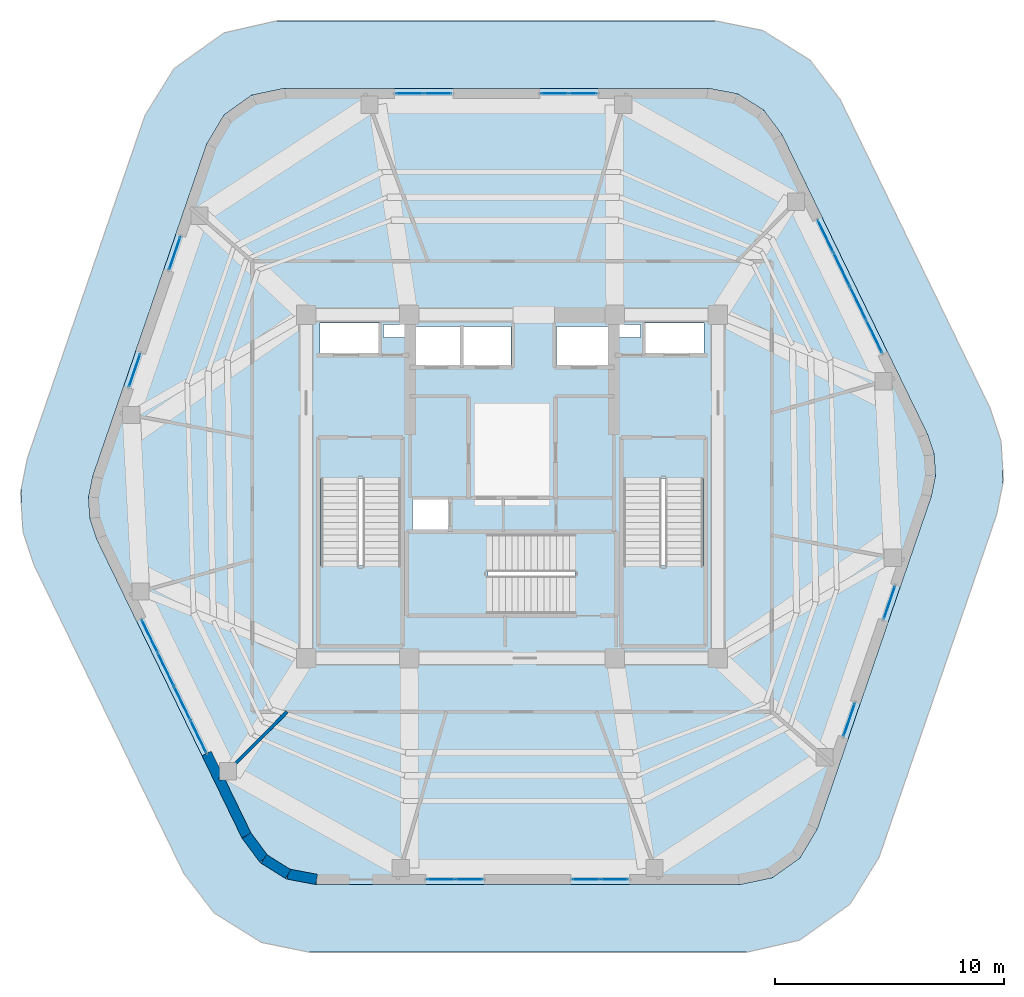
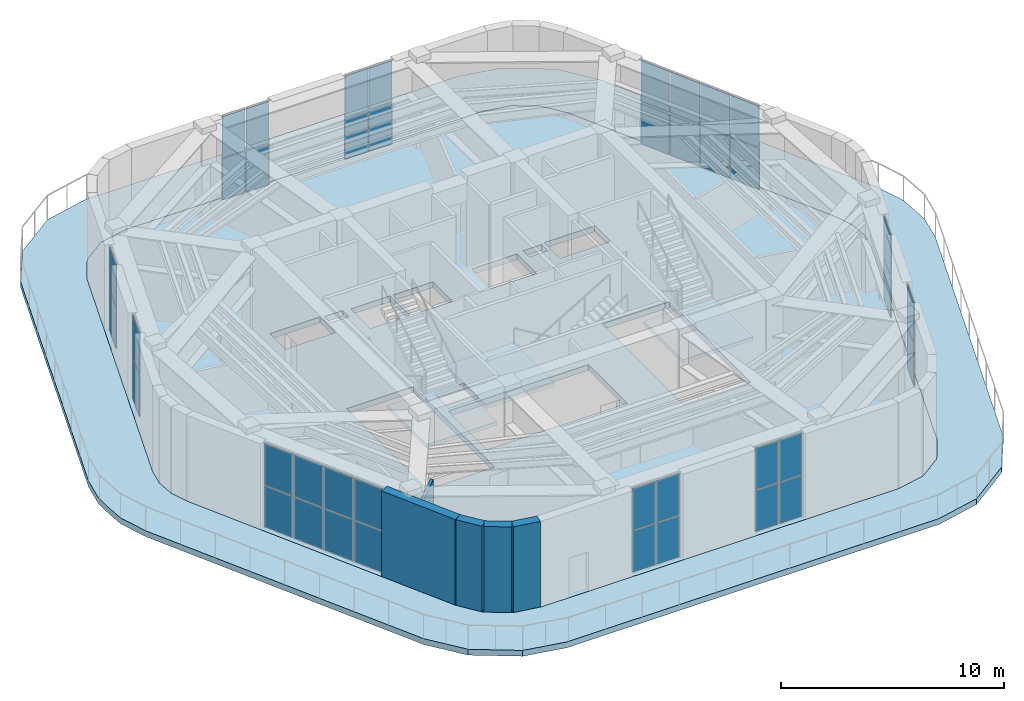
# One storey, part 16 of 24: 40 plates, 5 slabs, 5 walls, 13 elements without a shape of their own.
"""IFC4 building model written with IfcOpenShell, lengths in metres."""

import ifcopenshell
import ifcopenshell.guid

model = None  # the IFC model being written
_history = None  # IfcOwnerHistory: only IFC2X3 demands one
_inside = {}  # id of a spatial element -> (the spatial element, [elements in it])
_under = {}  # id of a project, library or spatial element -> (it, [spatial elements below it])
_declared = {}  # id of a project -> (the project, [libraries it declares])
_typed = {}  # id of a type object -> (the type object, [elements of that type])
_made_of = {}  # id of a material, layer set ... -> (it, [elements and type objects made of it])


def new_model(schema):
    """Start an empty IFC model of exactly this schema.

    Asked for "IFC4X3", IfcOpenShell would pick the latest addendum, in which some entities
    have other attributes; the version numbers below select the first issue.
    IFC2X3 requires an IfcOwnerHistory on every rooted entity: one is made here for all.
    """
    global model, _history
    if schema == "IFC4X3":
        model = ifcopenshell.file(schema_version=(4, 3, 0, 0))
    else:
        model = ifcopenshell.file(schema=schema)
    _inside.clear()
    _under.clear()
    _declared.clear()
    _typed.clear()
    _made_of.clear()
    _history = None
    if model.schema == "IFC2X3":
        org = make("IfcOrganization", Name="unknown")
        user = make(
            "IfcPersonAndOrganization",
            ThePerson=make("IfcPerson", FamilyName="unknown"),
            TheOrganization=org,
        )
        app = make(
            "IfcApplication",
            ApplicationDeveloper=org,
            Version="unknown",
            ApplicationFullName="unknown",
            ApplicationIdentifier="unknown",
        )
        _history = make(
            "IfcOwnerHistory",
            OwningUser=user,
            OwningApplication=app,
            ChangeAction="ADDED",
            CreationDate=0,
        )
    return model


def make(cls, **values):
    """One entity of the class cls with the attributes given. An attribute that is None is left unset."""
    return model.create_entity(
        cls, **{name: value for name, value in values.items() if value is not None}
    )


def rooted(cls, **values):
    """An entity with a GlobalId (a new one), such as an element, a storey or a relation."""
    return make(cls, GlobalId=ifcopenshell.guid.new(), OwnerHistory=_history, **values)


def si_unit(unit_type, name, prefix=None):
    """IfcSIUnit, for example si_unit("LENGTHUNIT", "METRE", prefix="MILLI")."""
    return make("IfcSIUnit", UnitType=unit_type, Prefix=prefix, Name=name)


def assignment(units):
    """IfcUnitAssignment: the units of a project."""
    return None if units is None else make("IfcUnitAssignment", Units=units)


def point(xyz):
    """IfcCartesianPoint."""
    return None if xyz is None else make("IfcCartesianPoint", Coordinates=xyz)


def direction(xyz):
    """IfcDirection."""
    return None if xyz is None else make("IfcDirection", DirectionRatios=xyz)


def frame(location, z_axis=None, x_axis=None):
    """IfcAxis2Placement3D, a coordinate frame: its origin and axes. An axis left out is left unset."""
    return make(
        "IfcAxis2Placement3D",
        Location=point(location),
        Axis=direction(z_axis),
        RefDirection=direction(x_axis),
    )


def frame_2d(location, x_axis=None):
    """IfcAxis2Placement2D, a coordinate frame in the plane: its origin and x axis."""
    return make(
        "IfcAxis2Placement2D", Location=point(location), RefDirection=direction(x_axis)
    )


def origin():
    """The frame at (0, 0, 0) with its axes left unset."""
    return frame((0.0, 0.0, 0.0))


def origin_2d():
    """The frame at (0, 0) in the plane with its x axis left unset."""
    return frame_2d((0.0, 0.0))


def place(relative_to, where):
    """IfcLocalPlacement: puts the frame where relative to a parent placement (None: the world)."""
    return make(
        "IfcLocalPlacement", PlacementRelTo=relative_to, RelativePlacement=where
    )


def context(
    kind, dimensions, precision=None, world=None, true_north=None, identifier=None
):
    """IfcGeometricRepresentationContext, for example the 3D "Model" context."""
    return make(
        "IfcGeometricRepresentationContext",
        ContextIdentifier=identifier,
        ContextType=kind,
        CoordinateSpaceDimension=dimensions,
        Precision=precision,
        WorldCoordinateSystem=world,
        TrueNorth=true_north,
    )


def subcontext(parent, identifier, kind, view, scale=None):
    """IfcGeometricRepresentationSubContext, for example "Body" below "Model"."""
    return make(
        "IfcGeometricRepresentationSubContext",
        ContextIdentifier=identifier,
        ContextType=kind,
        ParentContext=parent,
        TargetScale=scale,
        TargetView=view,
    )


def project(units=None, contexts=None):
    """IfcProject with its units and contexts."""
    return rooted(
        "IfcProject",
        Name="project",
        RepresentationContexts=contexts,
        UnitsInContext=assignment(units),
    )


def spatial(cls, under=None, at=None, **own):
    """A site, building, storey or space (cls), placed at a placement, below another one or the project."""
    s = rooted(cls, ObjectPlacement=at, **own)
    if under is not None:
        _under.setdefault(under.id(), (under, []))[1].append(s)
    return s


def polyline(points):
    """IfcPolyline through the points."""
    return make("IfcPolyline", Points=[point(p) for p in points])


def profile(cls, at=None, kind="AREA", **sizes):
    """A parametric profile (cls). Its sizes go by their IFC names, for example OverallWidth=200.0."""
    return make(cls, ProfileType=kind, Position=at, **sizes)


def rectangle(**sizes):
    """IfcRectangleProfileDef."""
    return profile("IfcRectangleProfileDef", **sizes)


def outline(outer, holes=None, kind="AREA"):
    """IfcArbitraryClosedProfileDef: a profile drawn as a closed curve; with holes, ...WithVoids."""
    if holes is None:
        return make("IfcArbitraryClosedProfileDef", ProfileType=kind, OuterCurve=outer)
    return make(
        "IfcArbitraryProfileDefWithVoids",
        ProfileType=kind,
        OuterCurve=outer,
        InnerCurves=holes,
    )


def extrude(swept, where, along, depth):
    """IfcExtrudedAreaSolid: the profile swept, set in the frame where, extruded along a direction by depth."""
    return make(
        "IfcExtrudedAreaSolid",
        SweptArea=swept,
        Position=where,
        ExtrudedDirection=direction(along),
        Depth=depth,
    )


def shape(context_of_items, identifier, shape_type, items):
    """IfcShapeRepresentation: the items that make up one representation, for example the "Body"."""
    return make(
        "IfcShapeRepresentation",
        ContextOfItems=context_of_items,
        RepresentationIdentifier=identifier,
        RepresentationType=shape_type,
        Items=items,
    )


def material(Name=None, Category=None):
    """IfcMaterial."""
    return make("IfcMaterial", Name=Name, Category=Category)


def layer(
    of_material, thickness, ventilated=None, Name=None, Category=None, Priority=None
):
    """IfcMaterialLayer: one layer of a wall or slab, of a material (None: an air gap)."""
    return make(
        "IfcMaterialLayer",
        Material=of_material,
        LayerThickness=thickness,
        IsVentilated=ventilated,
        Name=Name,
        Category=Category,
        Priority=Priority,
    )


def layer_set(layers, Name=None):
    """IfcMaterialLayerSet."""
    return make("IfcMaterialLayerSet", MaterialLayers=layers, LayerSetName=Name)


def made_of(thing, what):
    """Note that an element or type object is made of a material, layer set ...; save() writes the relation."""
    if what is not None:
        _made_of.setdefault(what.id(), (what, []))[1].append(thing)
    return thing


def type_object(cls, material=None, **own):
    """A type object (cls), such as IfcWallType, which elements share."""
    return made_of(rooted(cls, **own), material)


def element(
    cls,
    number,
    at=None,
    inside=None,
    cuts=None,
    type_object=None,
    material=None,
    context=None,
    identifier="Body",
    shape_type=None,
    held_by="IfcProductDefinitionShape",
    body=None,
    shapes=None,
    **own,
):
    """One element of the class cls, such as IfcWall. Its Tag is "e" and its number.

    at: its placement. inside: the storey or other place that contains it. cuts: it is an
    opening in that element (IfcRelVoidsElement). A single representation is given by context,
    identifier, shape_type and body (its items); several are given by shapes. held_by: the class
    of the entity that holds the representations. save() writes the other relations.
    """
    e = rooted(cls, Tag="e%d" % number, ObjectPlacement=at, **own)
    if body is not None:
        shapes = [shape(context, identifier, shape_type, body)]
    if shapes is not None:
        e.Representation = make(held_by, Representations=shapes)
    if inside is not None:
        _inside.setdefault(inside.id(), (inside, []))[1].append(e)
    if cuts is not None:
        rooted(
            "IfcRelVoidsElement", RelatingBuildingElement=cuts, RelatedOpeningElement=e
        )
    if type_object is not None:
        _typed.setdefault(type_object.id(), (type_object, []))[1].append(e)
    return made_of(e, material)


def aggregate(whole, parts):
    """IfcRelAggregates: a whole, such as a stair, and the parts it consists of."""
    return rooted("IfcRelAggregates", RelatingObject=whole, RelatedObjects=parts)


def save(model, path):
    """Write the relations noted so far, then the file.

    IfcRelAggregates (storeys below a building ...), IfcRelContainedInSpatialStructure (elements
    in a storey), IfcRelDefinesByType, IfcRelAssociatesMaterial and IfcRelDeclares: one each for
    every whole, place, type object, material and project.
    """
    for whole, parts in _under.values():
        aggregate(whole, parts)
    for where, things in _inside.values():
        rooted(
            "IfcRelContainedInSpatialStructure",
            RelatedElements=things,
            RelatingStructure=where,
        )
    for kind, things in _typed.values():
        rooted("IfcRelDefinesByType", RelatedObjects=things, RelatingType=kind)
    for what, things in _made_of.values():
        rooted("IfcRelAssociatesMaterial", RelatedObjects=things, RelatingMaterial=what)
    for by, libraries in _declared.values():
        rooted("IfcRelDeclares", RelatingContext=by, RelatedDefinitions=libraries)
    model.write(path)


model = new_model("IFC4")

# Units and contexts
model_context = context("Model", 3, precision=1e-05, world=origin(), true_north=direction((0.0, 1.0)))
body_context = subcontext(model_context, "Body", "Model", "MODEL_VIEW")
ifc_project = project(units=[si_unit("LENGTHUNIT", "METRE"), si_unit("AREAUNIT", "SQUARE_METRE"), si_unit("VOLUMEUNIT", "CUBIC_METRE"), si_unit("PLANEANGLEUNIT", "RADIAN"), si_unit("MASSUNIT", "GRAM", prefix="KILO")], contexts=[model_context])

# Site, building, storey
site_placement = place(None, origin())
site = spatial("IfcSite", under=ifc_project, at=site_placement, CompositionType="ELEMENT")
building_placement = place(site_placement, origin())
building = spatial("IfcBuilding", under=site, at=building_placement, Name="Kilnhurst Terrace Hotel", CompositionType="ELEMENT")
storey_placement = place(building_placement, frame((0.0, 0.0, 305.39990234375)))
storey = spatial("IfcBuildingStorey", under=building, at=storey_placement, Name="L76", CompositionType="ELEMENT", Elevation=305.39990234375)

# Curtain wall, plates
ifc_material_1 = material(Name="Anodized Aluminium Alloy 6063-T6 and Low-E Glass", Category="aluminium")
ifc_layer_1 = layer(ifc_material_1, 0.219970703125, Name="Anodized Aluminium Alloy 6063-T6 and Low-E Glass")
ifc_layer_set_1 = layer_set([ifc_layer_1], Name="Anodized Aluminium Alloy 6063-T6 and Low-E Glass")
curtain_wall_type = type_object("IfcCurtainWallType", Name="CW-OBS-CROWN", PredefinedType="NOTDEFINED", material=ifc_layer_set_1)
curtain_wall_1_placement = place(storey_placement, origin())
curtain_wall_1 = element("IfcCurtainWall", 1, at=curtain_wall_1_placement, inside=storey, type_object=curtain_wall_type, Name="L76 Curtain Wall CW-L76-F1-1", PredefinedType="NOTDEFINED")
ifc_material_2 = material(Name="Triple Laminated Low-E Hurricane Insulated Glass", Category="glass")
ifc_layer_2 = layer(ifc_material_2, 0.033935546875, Name="Triple Laminated Low-E Hurricane Insulated Glass")
ifc_layer_set_2 = layer_set([ifc_layer_2], Name="Triple Laminated Low-E Hurricane Insulated Glass")
plate_type = type_object("IfcPlateType", Name="PNL-GLZ-34", PredefinedType="CURTAIN_PANEL", material=ifc_layer_set_2)
plate_1_placement = place(storey_placement, frame((-3.10595703125, -17.175048828125, 0.06494140625), z_axis=(0.0, 0.0, 1.0), x_axis=(1.0, 0.0, 0.0)))
plate_1 = element("IfcPlate", 2, at=plate_1_placement, type_object=plate_type, Name="CWO-6 panel 1.1", PredefinedType="CURTAIN_PANEL", context=body_context, shape_type="SweptSolid", body=[
    extrude(rectangle(XDim=1.175537109375, YDim=0.033935546875, at=origin_2d()), origin(), (0.0, 0.0, 1.0), 2.242431640625),
])
plate_2_placement = place(storey_placement, frame((-3.10595703125, -17.175048828125, 2.37255859375), z_axis=(0.0, 0.0, 1.0), x_axis=(1.0, 0.0, 0.0)))
plate_2 = element("IfcPlate", 3, at=plate_2_placement, type_object=plate_type, Name="CWO-6 panel 1.2", PredefinedType="CURTAIN_PANEL", context=body_context, shape_type="SweptSolid", body=[
    extrude(rectangle(XDim=1.175537109375, YDim=0.033935546875, at=origin_2d()), origin(), (0.0, 0.0, 1.0), 2.242431640625),
])
plate_3_placement = place(storey_placement, frame((-1.865478515625, -17.175048828125, 0.06494140625), z_axis=(0.0, 0.0, 1.0), x_axis=(1.0, 0.0, 0.0)))
plate_3 = element("IfcPlate", 4, at=plate_3_placement, type_object=plate_type, Name="CWO-6 panel 2.1", PredefinedType="CURTAIN_PANEL", context=body_context, shape_type="SweptSolid", body=[
    extrude(rectangle(XDim=1.175537109375, YDim=0.033935546875, at=origin_2d()), origin(), (0.0, 0.0, 1.0), 2.242431640625),
])
plate_4_placement = place(storey_placement, frame((-1.865478515625, -17.175048828125, 2.37255859375), z_axis=(0.0, 0.0, 1.0), x_axis=(1.0, 0.0, 0.0)))
plate_4 = element("IfcPlate", 5, at=plate_4_placement, type_object=plate_type, Name="CWO-6 panel 2.2", PredefinedType="CURTAIN_PANEL", context=body_context, shape_type="SweptSolid", body=[
    extrude(rectangle(XDim=1.175537109375, YDim=0.033935546875, at=origin_2d()), origin(), (0.0, 0.0, 1.0), 2.242431640625),
])
aggregate(curtain_wall_1, [plate_1, plate_2, plate_3, plate_4])

curtain_wall_2_placement = place(storey_placement, origin())
curtain_wall_2 = element("IfcCurtainWall", 6, at=curtain_wall_2_placement, inside=storey, type_object=curtain_wall_type, Name="L76 Curtain Wall CW-L76-F1-2", PredefinedType="NOTDEFINED")
plate_5_placement = place(storey_placement, frame((3.240234375, -17.175048828125, 0.06494140625), z_axis=(0.0, 0.0, 1.0), x_axis=(1.0, 0.0, 0.0)))
plate_5 = element("IfcPlate", 7, at=plate_5_placement, type_object=plate_type, Name="CWO-6 panel 1.1", PredefinedType="CURTAIN_PANEL", context=body_context, shape_type="SweptSolid", body=[
    extrude(rectangle(XDim=1.176025390625, YDim=0.033935546875, at=origin_2d()), origin(), (0.0, 0.0, 1.0), 2.242431640625),
])
plate_6_placement = place(storey_placement, frame((3.240234375, -17.175048828125, 2.37255859375), z_axis=(0.0, 0.0, 1.0), x_axis=(1.0, 0.0, 0.0)))
plate_6 = element("IfcPlate", 8, at=plate_6_placement, type_object=plate_type, Name="CWO-6 panel 1.2", PredefinedType="CURTAIN_PANEL", context=body_context, shape_type="SweptSolid", body=[
    extrude(rectangle(XDim=1.176025390625, YDim=0.033935546875, at=origin_2d()), origin(), (0.0, 0.0, 1.0), 2.242431640625),
])
plate_7_placement = place(storey_placement, frame((4.481201171875, -17.175048828125, 0.06494140625), z_axis=(0.0, 0.0, 1.0), x_axis=(1.0, 0.0, 0.0)))
plate_7 = element("IfcPlate", 9, at=plate_7_placement, type_object=plate_type, Name="CWO-6 panel 2.1", PredefinedType="CURTAIN_PANEL", context=body_context, shape_type="SweptSolid", body=[
    extrude(rectangle(XDim=1.176025390625, YDim=0.033935546875, at=origin_2d()), origin(), (0.0, 0.0, 1.0), 2.242431640625),
])
plate_8_placement = place(storey_placement, frame((4.481201171875, -17.175048828125, 2.37255859375), z_axis=(0.0, 0.0, 1.0), x_axis=(1.0, 0.0, 0.0)))
plate_8 = element("IfcPlate", 10, at=plate_8_placement, type_object=plate_type, Name="CWO-6 panel 2.2", PredefinedType="CURTAIN_PANEL", context=body_context, shape_type="SweptSolid", body=[
    extrude(rectangle(XDim=1.176025390625, YDim=0.033935546875, at=origin_2d()), origin(), (0.0, 0.0, 1.0), 2.242431640625),
])
aggregate(curtain_wall_2, [plate_5, plate_6, plate_7, plate_8])

curtain_wall_3_placement = place(storey_placement, origin())
curtain_wall_3 = element("IfcCurtainWall", 11, at=curtain_wall_3_placement, inside=storey, type_object=curtain_wall_type, Name="L76 Curtain Wall CW-L76-F2-1", PredefinedType="NOTDEFINED")
plate_9_placement = place(storey_placement, frame((14.7373046875, -10.191650390625, 0.06494140625), z_axis=(0.0, 0.0, 1.0), x_axis=(0.324496358075, 0.945886945462, 0.0)))
plate_9 = element("IfcPlate", 12, at=plate_9_placement, type_object=plate_type, Name="CWO-6 panel 1.1", PredefinedType="CURTAIN_PANEL", context=body_context, shape_type="SweptSolid", body=[
    extrude(rectangle(XDim=1.474853515625, YDim=0.033935546875, at=origin_2d()), origin(), (0.0, 0.0, 1.0), 2.242431640625),
])
plate_10_placement = place(storey_placement, frame((14.7373046875, -10.191650390625, 2.37255859375), z_axis=(0.0, 0.0, 1.0), x_axis=(0.324496358075, 0.945886945462, 0.0)))
plate_10 = element("IfcPlate", 13, at=plate_10_placement, type_object=plate_type, Name="CWO-6 panel 1.2", PredefinedType="CURTAIN_PANEL", context=body_context, shape_type="SweptSolid", body=[
    extrude(rectangle(XDim=1.474853515625, YDim=0.033935546875, at=origin_2d()), origin(), (0.0, 0.0, 1.0), 2.242431640625),
])
aggregate(curtain_wall_3, [plate_9, plate_10])

curtain_wall_4_placement = place(storey_placement, origin())
curtain_wall_4 = element("IfcCurtainWall", 14, at=curtain_wall_4_placement, inside=storey, type_object=curtain_wall_type, Name="L76 Curtain Wall CW-L76-F2-2", PredefinedType="NOTDEFINED")
plate_11_placement = place(storey_placement, frame((16.4912109375, -5.0791015625, 0.06494140625), z_axis=(0.0, 0.0, 1.0), x_axis=(0.324496358075, 0.945886945462, 0.0)))
plate_11 = element("IfcPlate", 15, at=plate_11_placement, type_object=plate_type, Name="CWO-6 panel 1.1", PredefinedType="CURTAIN_PANEL", context=body_context, shape_type="SweptSolid", body=[
    extrude(rectangle(XDim=1.474853515625, YDim=0.033935546875, at=origin_2d()), origin(), (0.0, 0.0, 1.0), 2.242431640625),
])
plate_12_placement = place(storey_placement, frame((16.4912109375, -5.0791015625, 2.37255859375), z_axis=(0.0, 0.0, 1.0), x_axis=(0.324496358075, 0.945886945462, 0.0)))
plate_12 = element("IfcPlate", 16, at=plate_12_placement, type_object=plate_type, Name="CWO-6 panel 1.2", PredefinedType="CURTAIN_PANEL", context=body_context, shape_type="SweptSolid", body=[
    extrude(rectangle(XDim=1.474853515625, YDim=0.033935546875, at=origin_2d()), origin(), (0.0, 0.0, 1.0), 2.242431640625),
])
aggregate(curtain_wall_4, [plate_11, plate_12])

curtain_wall_5_placement = place(storey_placement, origin())
curtain_wall_5 = element("IfcCurtainWall", 17, at=curtain_wall_5_placement, inside=storey, type_object=curtain_wall_type, Name="L76 Curtain Wall CW-L76-F3-1", PredefinedType="NOTDEFINED")
plate_13_placement = place(storey_placement, frame((15.832763671875, 6.548828125, 0.06494140625), z_axis=(0.0, 0.0, 1.0), x_axis=(-0.437053091357, 0.899435709395, 0.0)))
plate_13 = element("IfcPlate", 18, at=plate_13_placement, type_object=plate_type, Name="CWO-6 panel 1.1", PredefinedType="CURTAIN_PANEL", context=body_context, shape_type="SweptSolid", body=[
    extrude(rectangle(XDim=1.533935546875, YDim=0.033935546875, at=origin_2d()), origin(), (0.0, 0.0, 1.0), 2.242431640625),
])
plate_14_placement = place(storey_placement, frame((15.832763671875, 6.548828125, 2.37255859375), z_axis=(0.0, 0.0, 1.0), x_axis=(-0.437053091357, 0.899435709395, 0.0)))
plate_14 = element("IfcPlate", 19, at=plate_14_placement, type_object=plate_type, Name="CWO-6 panel 1.2", PredefinedType="CURTAIN_PANEL", context=body_context, shape_type="SweptSolid", body=[
    extrude(rectangle(XDim=1.533935546875, YDim=0.033935546875, at=origin_2d()), origin(), (0.0, 0.0, 1.0), 2.242431640625),
])
plate_15_placement = place(storey_placement, frame((15.126708984375, 8.001708984375, 0.06494140625), z_axis=(0.0, 0.0, 1.0), x_axis=(-0.437053091357, 0.899435709395, 0.0)))
plate_15 = element("IfcPlate", 20, at=plate_15_placement, type_object=plate_type, Name="CWO-6 panel 2.1", PredefinedType="CURTAIN_PANEL", context=body_context, shape_type="SweptSolid", body=[
    extrude(rectangle(XDim=1.56640625, YDim=0.033935546875, at=origin_2d()), origin(), (0.0, 0.0, 1.0), 2.242431640625),
])
plate_16_placement = place(storey_placement, frame((15.126708984375, 8.001708984375, 2.37255859375), z_axis=(0.0, 0.0, 1.0), x_axis=(-0.437053091357, 0.899435709395, 0.0)))
plate_16 = element("IfcPlate", 21, at=plate_16_placement, type_object=plate_type, Name="CWO-6 panel 2.2", PredefinedType="CURTAIN_PANEL", context=body_context, shape_type="SweptSolid", body=[
    extrude(rectangle(XDim=1.56640625, YDim=0.033935546875, at=origin_2d()), origin(), (0.0, 0.0, 1.0), 2.242431640625),
])
plate_17_placement = place(storey_placement, frame((14.41357421875, 9.468994140625, 0.06494140625), z_axis=(0.0, 0.0, 1.0), x_axis=(-0.437053091357, 0.899435709395, 0.0)))
plate_17 = element("IfcPlate", 22, at=plate_17_placement, type_object=plate_type, Name="CWO-6 panel 3.1", PredefinedType="CURTAIN_PANEL", context=body_context, shape_type="SweptSolid", body=[
    extrude(rectangle(XDim=1.56640625, YDim=0.033935546875, at=origin_2d()), origin(), (0.0, 0.0, 1.0), 2.242431640625),
])
plate_18_placement = place(storey_placement, frame((14.41357421875, 9.468994140625, 2.37255859375), z_axis=(0.0, 0.0, 1.0), x_axis=(-0.437053091357, 0.899435709395, 0.0)))
plate_18 = element("IfcPlate", 23, at=plate_18_placement, type_object=plate_type, Name="CWO-6 panel 3.2", PredefinedType="CURTAIN_PANEL", context=body_context, shape_type="SweptSolid", body=[
    extrude(rectangle(XDim=1.56640625, YDim=0.033935546875, at=origin_2d()), origin(), (0.0, 0.0, 1.0), 2.242431640625),
])
plate_19_placement = place(storey_placement, frame((13.707763671875, 10.921875, 0.06494140625), z_axis=(0.0, 0.0, 1.0), x_axis=(-0.437053091357, 0.899435709395, 0.0)))
plate_19 = element("IfcPlate", 24, at=plate_19_placement, type_object=plate_type, Name="CWO-6 panel 4.1", PredefinedType="CURTAIN_PANEL", context=body_context, shape_type="SweptSolid", body=[
    extrude(rectangle(XDim=1.533935546875, YDim=0.033935546875, at=origin_2d()), origin(), (0.0, 0.0, 1.0), 2.242431640625),
])
plate_20_placement = place(storey_placement, frame((13.707763671875, 10.921875, 2.37255859375), z_axis=(0.0, 0.0, 1.0), x_axis=(-0.437053091357, 0.899435709395, 0.0)))
plate_20 = element("IfcPlate", 25, at=plate_20_placement, type_object=plate_type, Name="CWO-6 panel 4.2", PredefinedType="CURTAIN_PANEL", context=body_context, shape_type="SweptSolid", body=[
    extrude(rectangle(XDim=1.533935546875, YDim=0.033935546875, at=origin_2d()), origin(), (0.0, 0.0, 1.0), 2.242431640625),
])
aggregate(curtain_wall_5, [plate_13, plate_14, plate_15, plate_16, plate_17, plate_18, plate_19, plate_20])

curtain_wall_6_placement = place(storey_placement, origin())
curtain_wall_6 = element("IfcCurtainWall", 26, at=curtain_wall_6_placement, inside=storey, type_object=curtain_wall_type, Name="L76 Curtain Wall CW-L76-F4-1", PredefinedType="NOTDEFINED")
plate_21_placement = place(storey_placement, frame((3.10595703125, 17.175048828125, 0.06494140625), z_axis=(0.0, 0.0, 1.0), x_axis=(-1.0, 0.0, 0.0)))
plate_21 = element("IfcPlate", 27, at=plate_21_placement, type_object=plate_type, Name="CWO-6 panel 1.1", PredefinedType="CURTAIN_PANEL", context=body_context, shape_type="SweptSolid", body=[
    extrude(rectangle(XDim=1.175537109375, YDim=0.033935546875, at=origin_2d()), origin(), (0.0, 0.0, 1.0), 2.242431640625),
])
plate_22_placement = place(storey_placement, frame((3.10595703125, 17.175048828125, 2.37255859375), z_axis=(0.0, 0.0, 1.0), x_axis=(-1.0, 0.0, 0.0)))
plate_22 = element("IfcPlate", 28, at=plate_22_placement, type_object=plate_type, Name="CWO-6 panel 1.2", PredefinedType="CURTAIN_PANEL", context=body_context, shape_type="SweptSolid", body=[
    extrude(rectangle(XDim=1.175537109375, YDim=0.033935546875, at=origin_2d()), origin(), (0.0, 0.0, 1.0), 2.242431640625),
])
plate_23_placement = place(storey_placement, frame((1.865478515625, 17.175048828125, 0.06494140625), z_axis=(0.0, 0.0, 1.0), x_axis=(-1.0, 0.0, 0.0)))
plate_23 = element("IfcPlate", 29, at=plate_23_placement, type_object=plate_type, Name="CWO-6 panel 2.1", PredefinedType="CURTAIN_PANEL", context=body_context, shape_type="SweptSolid", body=[
    extrude(rectangle(XDim=1.175537109375, YDim=0.033935546875, at=origin_2d()), origin(), (0.0, 0.0, 1.0), 2.242431640625),
])
plate_24_placement = place(storey_placement, frame((1.865478515625, 17.175048828125, 2.37255859375), z_axis=(0.0, 0.0, 1.0), x_axis=(-1.0, 0.0, 0.0)))
plate_24 = element("IfcPlate", 30, at=plate_24_placement, type_object=plate_type, Name="CWO-6 panel 2.2", PredefinedType="CURTAIN_PANEL", context=body_context, shape_type="SweptSolid", body=[
    extrude(rectangle(XDim=1.175537109375, YDim=0.033935546875, at=origin_2d()), origin(), (0.0, 0.0, 1.0), 2.242431640625),
])
aggregate(curtain_wall_6, [plate_21, plate_22, plate_23, plate_24])

curtain_wall_7_placement = place(storey_placement, origin())
curtain_wall_7 = element("IfcCurtainWall", 31, at=curtain_wall_7_placement, inside=storey, type_object=curtain_wall_type, Name="L76 Curtain Wall CW-L76-F4-2", PredefinedType="NOTDEFINED")
plate_25_placement = place(storey_placement, frame((-3.240234375, 17.175048828125, 0.06494140625), z_axis=(0.0, 0.0, 1.0), x_axis=(-1.0, 0.0, 0.0)))
plate_25 = element("IfcPlate", 32, at=plate_25_placement, type_object=plate_type, Name="CWO-6 panel 1.1", PredefinedType="CURTAIN_PANEL", context=body_context, shape_type="SweptSolid", body=[
    extrude(rectangle(XDim=1.176025390625, YDim=0.033935546875, at=origin_2d()), origin(), (0.0, 0.0, 1.0), 2.242431640625),
])
plate_26_placement = place(storey_placement, frame((-3.240234375, 17.175048828125, 2.37255859375), z_axis=(0.0, 0.0, 1.0), x_axis=(-1.0, 0.0, 0.0)))
plate_26 = element("IfcPlate", 33, at=plate_26_placement, type_object=plate_type, Name="CWO-6 panel 1.2", PredefinedType="CURTAIN_PANEL", context=body_context, shape_type="SweptSolid", body=[
    extrude(rectangle(XDim=1.176025390625, YDim=0.033935546875, at=origin_2d()), origin(), (0.0, 0.0, 1.0), 2.242431640625),
])
plate_27_placement = place(storey_placement, frame((-4.481201171875, 17.175048828125, 0.06494140625), z_axis=(0.0, 0.0, 1.0), x_axis=(-1.0, 0.0, 0.0)))
plate_27 = element("IfcPlate", 34, at=plate_27_placement, type_object=plate_type, Name="CWO-6 panel 2.1", PredefinedType="CURTAIN_PANEL", context=body_context, shape_type="SweptSolid", body=[
    extrude(rectangle(XDim=1.176025390625, YDim=0.033935546875, at=origin_2d()), origin(), (0.0, 0.0, 1.0), 2.242431640625),
])
plate_28_placement = place(storey_placement, frame((-4.481201171875, 17.175048828125, 2.37255859375), z_axis=(0.0, 0.0, 1.0), x_axis=(-1.0, 0.0, 0.0)))
plate_28 = element("IfcPlate", 35, at=plate_28_placement, type_object=plate_type, Name="CWO-6 panel 2.2", PredefinedType="CURTAIN_PANEL", context=body_context, shape_type="SweptSolid", body=[
    extrude(rectangle(XDim=1.176025390625, YDim=0.033935546875, at=origin_2d()), origin(), (0.0, 0.0, 1.0), 2.242431640625),
])
aggregate(curtain_wall_7, [plate_25, plate_26, plate_27, plate_28])

curtain_wall_8_placement = place(storey_placement, origin())
curtain_wall_8 = element("IfcCurtainWall", 36, at=curtain_wall_8_placement, inside=storey, type_object=curtain_wall_type, Name="L76 Curtain Wall CW-L76-F5-1", PredefinedType="NOTDEFINED")
plate_29_placement = place(storey_placement, frame((-14.7373046875, 10.191650390625, 0.06494140625), z_axis=(0.0, 0.0, 1.0), x_axis=(-0.324496358075, -0.945886945462, 0.0)))
plate_29 = element("IfcPlate", 37, at=plate_29_placement, type_object=plate_type, Name="CWO-6 panel 1.1", PredefinedType="CURTAIN_PANEL", context=body_context, shape_type="SweptSolid", body=[
    extrude(rectangle(XDim=1.474853515625, YDim=0.033935546875, at=origin_2d()), origin(), (0.0, 0.0, 1.0), 2.242431640625),
])
plate_30_placement = place(storey_placement, frame((-14.7373046875, 10.191650390625, 2.37255859375), z_axis=(0.0, 0.0, 1.0), x_axis=(-0.324496358075, -0.945886945462, 0.0)))
plate_30 = element("IfcPlate", 38, at=plate_30_placement, type_object=plate_type, Name="CWO-6 panel 1.2", PredefinedType="CURTAIN_PANEL", context=body_context, shape_type="SweptSolid", body=[
    extrude(rectangle(XDim=1.474853515625, YDim=0.033935546875, at=origin_2d()), origin(), (0.0, 0.0, 1.0), 2.242431640625),
])
aggregate(curtain_wall_8, [plate_29, plate_30])

curtain_wall_9_placement = place(storey_placement, origin())
curtain_wall_9 = element("IfcCurtainWall", 39, at=curtain_wall_9_placement, inside=storey, type_object=curtain_wall_type, Name="L76 Curtain Wall CW-L76-F5-2", PredefinedType="NOTDEFINED")
plate_31_placement = place(storey_placement, frame((-16.4912109375, 5.0791015625, 0.06494140625), z_axis=(0.0, 0.0, 1.0), x_axis=(-0.324496358075, -0.945886945462, 0.0)))
plate_31 = element("IfcPlate", 40, at=plate_31_placement, type_object=plate_type, Name="CWO-6 panel 1.1", PredefinedType="CURTAIN_PANEL", context=body_context, shape_type="SweptSolid", body=[
    extrude(rectangle(XDim=1.474853515625, YDim=0.033935546875, at=origin_2d()), origin(), (0.0, 0.0, 1.0), 2.242431640625),
])
plate_32_placement = place(storey_placement, frame((-16.4912109375, 5.0791015625, 2.37255859375), z_axis=(0.0, 0.0, 1.0), x_axis=(-0.324496358075, -0.945886945462, 0.0)))
plate_32 = element("IfcPlate", 41, at=plate_32_placement, type_object=plate_type, Name="CWO-6 panel 1.2", PredefinedType="CURTAIN_PANEL", context=body_context, shape_type="SweptSolid", body=[
    extrude(rectangle(XDim=1.474853515625, YDim=0.033935546875, at=origin_2d()), origin(), (0.0, 0.0, 1.0), 2.242431640625),
])
aggregate(curtain_wall_9, [plate_31, plate_32])

curtain_wall_10_placement = place(storey_placement, origin())
curtain_wall_10 = element("IfcCurtainWall", 42, at=curtain_wall_10_placement, inside=storey, type_object=curtain_wall_type, Name="L76 Curtain Wall CW-L76-F6-1", PredefinedType="NOTDEFINED")
plate_33_placement = place(storey_placement, frame((-15.832763671875, -6.548828125, 0.06494140625), z_axis=(0.0, 0.0, 1.0), x_axis=(0.437053091357, -0.899435709395, 0.0)))
plate_33 = element("IfcPlate", 43, at=plate_33_placement, type_object=plate_type, Name="CWO-6 panel 1.1", PredefinedType="CURTAIN_PANEL", context=body_context, shape_type="SweptSolid", body=[
    extrude(rectangle(XDim=1.533935546875, YDim=0.033935546875, at=origin_2d()), origin(), (0.0, 0.0, 1.0), 2.242431640625),
])
plate_34_placement = place(storey_placement, frame((-15.832763671875, -6.548828125, 2.37255859375), z_axis=(0.0, 0.0, 1.0), x_axis=(0.437053091357, -0.899435709395, 0.0)))
plate_34 = element("IfcPlate", 44, at=plate_34_placement, type_object=plate_type, Name="CWO-6 panel 1.2", PredefinedType="CURTAIN_PANEL", context=body_context, shape_type="SweptSolid", body=[
    extrude(rectangle(XDim=1.533935546875, YDim=0.033935546875, at=origin_2d()), origin(), (0.0, 0.0, 1.0), 2.242431640625),
])
plate_35_placement = place(storey_placement, frame((-15.126708984375, -8.001708984375, 0.06494140625), z_axis=(0.0, 0.0, 1.0), x_axis=(0.437053091357, -0.899435709395, 0.0)))
plate_35 = element("IfcPlate", 45, at=plate_35_placement, type_object=plate_type, Name="CWO-6 panel 2.1", PredefinedType="CURTAIN_PANEL", context=body_context, shape_type="SweptSolid", body=[
    extrude(rectangle(XDim=1.56640625, YDim=0.033935546875, at=origin_2d()), origin(), (0.0, 0.0, 1.0), 2.242431640625),
])
plate_36_placement = place(storey_placement, frame((-15.126708984375, -8.001708984375, 2.37255859375), z_axis=(0.0, 0.0, 1.0), x_axis=(0.437053091357, -0.899435709395, 0.0)))
plate_36 = element("IfcPlate", 46, at=plate_36_placement, type_object=plate_type, Name="CWO-6 panel 2.2", PredefinedType="CURTAIN_PANEL", context=body_context, shape_type="SweptSolid", body=[
    extrude(rectangle(XDim=1.56640625, YDim=0.033935546875, at=origin_2d()), origin(), (0.0, 0.0, 1.0), 2.242431640625),
])
plate_37_placement = place(storey_placement, frame((-14.41357421875, -9.468994140625, 0.06494140625), z_axis=(0.0, 0.0, 1.0), x_axis=(0.437053091357, -0.899435709395, 0.0)))
plate_37 = element("IfcPlate", 47, at=plate_37_placement, type_object=plate_type, Name="CWO-6 panel 3.1", PredefinedType="CURTAIN_PANEL", context=body_context, shape_type="SweptSolid", body=[
    extrude(rectangle(XDim=1.56640625, YDim=0.033935546875, at=origin_2d()), origin(), (0.0, 0.0, 1.0), 2.242431640625),
])
plate_38_placement = place(storey_placement, frame((-14.41357421875, -9.468994140625, 2.37255859375), z_axis=(0.0, 0.0, 1.0), x_axis=(0.437053091357, -0.899435709395, 0.0)))
plate_38 = element("IfcPlate", 48, at=plate_38_placement, type_object=plate_type, Name="CWO-6 panel 3.2", PredefinedType="CURTAIN_PANEL", context=body_context, shape_type="SweptSolid", body=[
    extrude(rectangle(XDim=1.56640625, YDim=0.033935546875, at=origin_2d()), origin(), (0.0, 0.0, 1.0), 2.242431640625),
])
plate_39_placement = place(storey_placement, frame((-13.707763671875, -10.921875, 0.06494140625), z_axis=(0.0, 0.0, 1.0), x_axis=(0.437053091357, -0.899435709395, 0.0)))
plate_39 = element("IfcPlate", 49, at=plate_39_placement, type_object=plate_type, Name="CWO-6 panel 4.1", PredefinedType="CURTAIN_PANEL", context=body_context, shape_type="SweptSolid", body=[
    extrude(rectangle(XDim=1.533935546875, YDim=0.033935546875, at=origin_2d()), origin(), (0.0, 0.0, 1.0), 2.242431640625),
])
plate_40_placement = place(storey_placement, frame((-13.707763671875, -10.921875, 2.37255859375), z_axis=(0.0, 0.0, 1.0), x_axis=(0.437053091357, -0.899435709395, 0.0)))
plate_40 = element("IfcPlate", 50, at=plate_40_placement, type_object=plate_type, Name="CWO-6 panel 4.2", PredefinedType="CURTAIN_PANEL", context=body_context, shape_type="SweptSolid", body=[
    extrude(rectangle(XDim=1.533935546875, YDim=0.033935546875, at=origin_2d()), origin(), (0.0, 0.0, 1.0), 2.242431640625),
])
aggregate(curtain_wall_10, [plate_33, plate_34, plate_35, plate_36, plate_37, plate_38, plate_39, plate_40])

# Slab
ifc_material_3 = material(Name="Concrete C50/60", Category="concrete")
ifc_layer_3 = layer(ifc_material_3, 0.320068359375, Name="Concrete C50/60")
ifc_layer_set_3 = layer_set([ifc_layer_3], Name="Concrete C50/60")
slab_type_1 = type_object("IfcSlabType", Name="SLB-FLR-320", PredefinedType="FLOOR", material=ifc_layer_set_3)
slab_1_placement = place(storey_placement, frame((0.0, 0.0, -0.31982421875)))
element("IfcSlab", 51, at=slab_1_placement, inside=storey, type_object=slab_type_1, Name="L76 Structural Floor Slab", PredefinedType="FLOOR", context=body_context, shape_type="SweptSolid", body=[
    extrude(outline(polyline([(-11.794921875, -15.373291015625), (-10.999267578125, -16.444580078125), (-9.8681640625, -17.152587890625), (-8.556884765625, -17.39990234375), (9.93115234375, -17.39990234375), (11.37744140625, -17.0966796875), (12.580078125, -16.23779296875), (13.336181640625, -14.96826171875), (18.31787109375, -0.4482421875), (18.50390625, 0.4697265625), (18.447021484375, 1.40478515625), (18.150634765625, 2.293212890625), (11.794921875, 15.373291015625), (10.999267578125, 16.444580078125), (9.8681640625, 17.152587890625), (8.556884765625, 17.39990234375), (-9.93115234375, 17.39990234375), (-11.37744140625, 17.0966796875), (-12.580078125, 16.23779296875), (-13.336181640625, 14.96826171875), (-18.31787109375, 0.4482421875), (-18.50390625, -0.4697265625), (-18.447021484375, -1.40478515625), (-18.150634765625, -2.293212890625), (-11.794921875, -15.373291015625)]), holes=[polyline([(-8.35009765625, 0.35498046875), (-4.8798828125, 0.35498046875), (-4.8798828125, -6.89990234375), (-8.35009765625, -6.89990234375), (-8.35009765625, 0.35498046875)]), polyline([(-2.800048828125, -1.89990234375), (-4.35009765625, -1.89990234375), (-4.35009765625, -0.550048828125), (-2.800048828125, -0.550048828125), (-2.800048828125, -1.89990234375)]), polyline([(-2.25, 5.25), (-4.300048828125, 5.25), (-4.300048828125, 7.0), (-2.25, 7.0), (-2.25, 5.25)]), polyline([(-2.1201171875, 5.25), (-2.1201171875, 7.0), (-0.050048828125, 7.0), (-0.050048828125, 5.25), (-2.1201171875, 5.25)]), polyline([(-8.39990234375, 5.75), (-8.39990234375, 7.14990234375), (-5.800048828125, 7.14990234375), (-5.800048828125, 5.75), (-8.39990234375, 5.75)]), polyline([(-4.659912109375, 6.52001953125), (-5.6201171875, 6.52001953125), (-5.6201171875, 7.080078125), (-4.659912109375, 7.080078125), (-4.659912109375, 6.52001953125)]), polyline([(2.7548828125, -5.550048828125), (-4.5, -5.550048828125), (-4.5, -2.080078125), (2.7548828125, -2.080078125), (2.7548828125, -5.550048828125)]), polyline([(8.35009765625, 0.35498046875), (8.35009765625, -6.89990234375), (4.8798828125, -6.89990234375), (4.8798828125, 0.35498046875), (8.35009765625, 0.35498046875)]), polyline([(4.300048828125, 5.25), (1.949951171875, 5.25), (1.949951171875, 7.0), (4.300048828125, 7.0), (4.300048828125, 5.25)]), polyline([(5.800048828125, 5.75), (5.800048828125, 7.14990234375), (8.39990234375, 7.14990234375), (8.39990234375, 5.75), (5.800048828125, 5.75)]), polyline([(4.659912109375, 6.52001953125), (4.659912109375, 7.080078125), (5.6201171875, 7.080078125), (5.6201171875, 6.52001953125), (4.659912109375, 6.52001953125)])]), origin(), (0.0, 0.0, 1.0), 0.31982421875),
])

# Stair, slab
stair_type = type_object("IfcStairType", Name="STR-CORE-1660", PredefinedType="HALF_TURN_STAIR", material=ifc_material_3)
stair_1_placement = place(storey_placement, origin())
stair_1 = element("IfcStair", 52, at=stair_1_placement, inside=storey, type_object=stair_type, Name="L76 ST-1", PredefinedType="HALF_TURN_STAIR")
ifc_layer_4 = layer(ifc_material_3, 0.199951171875, Name="Concrete C50/60")
ifc_layer_set_4 = layer_set([ifc_layer_4], Name="Concrete C50/60")
slab_type_2 = type_object("IfcSlabType", Name="SLB-ST-LND-200", PredefinedType="LANDING", material=ifc_layer_set_4)
slab_2_placement = place(storey_placement, frame((0.0, 0.0, 2.300048828125)))
slab_2 = element("IfcSlab", 53, at=slab_2_placement, type_object=slab_type_2, Name="ST-1 landing 1", PredefinedType="LANDING", context=body_context, shape_type="SweptSolid", body=[
    extrude(outline(polyline([(-8.429931640625, -3.449951171875), (-4.800048828125, -3.449951171875), (-4.800048828125, -6.97998046875), (-8.429931640625, -6.97998046875), (-8.429931640625, -3.449951171875)])), origin(), (0.0, 0.0, 1.0), 0.199951171875),
])
aggregate(stair_1, [slab_2])

stair_2_placement = place(storey_placement, origin())
stair_2 = element("IfcStair", 54, at=stair_2_placement, inside=storey, type_object=stair_type, Name="L76 ST-2", PredefinedType="HALF_TURN_STAIR")
slab_3_placement = place(storey_placement, frame((0.0, 0.0, 2.300048828125)))
slab_3 = element("IfcSlab", 55, at=slab_3_placement, type_object=slab_type_2, Name="ST-2 landing 1", PredefinedType="LANDING", context=body_context, shape_type="SweptSolid", body=[
    extrude(outline(polyline([(4.800048828125, -3.449951171875), (8.429931640625, -3.449951171875), (8.429931640625, -6.97998046875), (4.800048828125, -6.97998046875), (4.800048828125, -3.449951171875)])), origin(), (0.0, 0.0, 1.0), 0.199951171875),
])
aggregate(stair_2, [slab_3])

stair_3_placement = place(storey_placement, origin())
stair_3 = element("IfcStair", 56, at=stair_3_placement, inside=storey, type_object=stair_type, Name="L76 ST-3", PredefinedType="HALF_TURN_STAIR")
slab_4_placement = place(storey_placement, frame((0.0, 0.0, 2.300048828125)))
slab_4 = element("IfcSlab", 57, at=slab_4_placement, type_object=slab_type_2, Name="ST-3 landing 1", PredefinedType="LANDING", context=body_context, shape_type="SweptSolid", body=[
    extrude(outline(polyline([(-1.050048828125, -2.0), (-1.050048828125, -5.6298828125), (-4.580078125, -5.6298828125), (-4.580078125, -2.0), (-1.050048828125, -2.0)])), origin(), (0.0, 0.0, 1.0), 0.199951171875),
])
aggregate(stair_3, [slab_4])

# Slab
ifc_layer_5 = layer(ifc_material_3, 0.320068359375, Name="Concrete C50/60")
ifc_layer_set_5 = layer_set([ifc_layer_5], Name="Concrete C50/60")
slab_type_3 = type_object("IfcSlabType", Name="SLB-TERR-320", PredefinedType="FLOOR", material=ifc_layer_set_5)
slab_5_placement = place(storey_placement, frame((0.0, 0.0, -0.31982421875)))
element("IfcSlab", 58, at=slab_5_placement, inside=storey, type_object=slab_type_3, Name="L76 Cantilevered Planted Terrace Slab OBS-TERRACE", PredefinedType="FLOOR", context=body_context, shape_type="SweptSolid", body=[
    extrude(outline(polyline([(-21.37255859375, -1.971435546875), (-21.444091796875, -0.800537109375), (-21.444091796875, -0.097900390625), (-21.180419921875, 1.225830078125), (-16.036376953125, 16.21923828125), (-14.772705078125, 18.256103515625), (-12.57470703125, 19.82568359375), (-10.325439453125, 20.340087890625), (8.931640625, 20.340087890625), (10.95361328125, 19.927978515625), (13.02099609375, 18.634033203125), (14.336181640625, 16.916015625), (20.8974609375, 3.4130859375), (21.37255859375, 1.971435546875), (21.444091796875, 0.800537109375), (21.444091796875, 0.097900390625), (21.180419921875, -1.225830078125), (16.036376953125, -16.21923828125), (14.772705078125, -18.256103515625), (12.57470703125, -19.82568359375), (10.325439453125, -20.340087890625), (-8.931640625, -20.340087890625), (-10.95361328125, -19.927978515625), (-13.02099609375, -18.634033203125), (-14.336181640625, -16.916015625), (-20.8974609375, -3.4130859375), (-21.37255859375, -1.971435546875)]), holes=[polyline([(-10.999267578125, -16.444580078125), (-9.8681640625, -17.152587890625), (-8.556884765625, -17.39990234375), (9.93115234375, -17.39990234375), (11.37744140625, -17.0966796875), (12.580078125, -16.23779296875), (13.336181640625, -14.96826171875), (18.31787109375, -0.4482421875), (18.50390625, 0.4697265625), (18.447021484375, 1.40478515625), (18.150634765625, 2.293212890625), (11.794921875, 15.373291015625), (10.999267578125, 16.444580078125), (9.8681640625, 17.152587890625), (8.556884765625, 17.39990234375), (-9.93115234375, 17.39990234375), (-11.37744140625, 17.0966796875), (-12.580078125, 16.23779296875), (-13.336181640625, 14.96826171875), (-18.31787109375, 0.4482421875), (-18.50390625, -0.4697265625), (-18.447021484375, -1.40478515625), (-18.150634765625, -2.293212890625), (-11.794921875, -15.373291015625), (-10.999267578125, -16.444580078125)])]), origin(), (0.0, 0.0, 1.0), 0.31982421875),
])

# Walls
ifc_material_4 = material(Name="Precast concrete C40/50", Category="concrete")
ifc_layer_6 = layer(ifc_material_4, 0.449951171875, Name="Precast concrete C40/50")
ifc_layer_set_6 = layer_set([ifc_layer_6], Name="Precast concrete C40/50")
wall_type_1 = type_object("IfcWallType", Name="WL-BRK-450", PredefinedType="SOLIDWALL", material=ifc_layer_set_6)
wall_1_placement = place(storey_placement, frame((-11.6015625, -15.256103515625, 0.0), z_axis=(0.0, 0.0, 1.0), x_axis=(0.596058719353, -0.802940846566, 0.0)))
element("IfcWall", 59, at=wall_1_placement, inside=storey, type_object=wall_type_1, Name="L76 Rounded Corner Brick Wall C1.1", PredefinedType="SOLIDWALL", context=body_context, shape_type="SweptSolid", body=[
    extrude(rectangle(XDim=1.27099609375, YDim=0.449951171875, at=frame_2d((0.635498046875, 0.0))), origin(), (0.0, 0.0, 1.0), 4.68017578125),
])
wall_2_placement = place(storey_placement, frame((-10.843994140625, -16.276611328125, 0.0), z_axis=(0.0, 0.0, 1.0), x_axis=(0.847723789959, -0.530437909597, 0.0)))
element("IfcWall", 60, at=wall_2_placement, inside=storey, type_object=wall_type_1, Name="L76 Rounded Corner Brick Wall C1.2", PredefinedType="SOLIDWALL", context=body_context, shape_type="SweptSolid", body=[
    extrude(rectangle(XDim=1.24951171875, YDim=0.449951171875, at=frame_2d((0.624755859375, 0.0))), origin(), (0.0, 0.0, 1.0), 4.68017578125),
])
wall_3_placement = place(storey_placement, frame((-9.78466796875, -16.939453125, 0.0), z_axis=(0.0, 0.0, 1.0), x_axis=(0.982664955661, -0.185390358204, 0.0)))
element("IfcWall", 61, at=wall_3_placement, inside=storey, type_object=wall_type_1, Name="L76 Rounded Corner Brick Wall C1.3", PredefinedType="SOLIDWALL", context=body_context, shape_type="SweptSolid", body=[
    extrude(rectangle(XDim=1.270751953125, YDim=0.449951171875, at=frame_2d((0.63525390625, 0.0))), origin(), (0.0, 0.0, 1.0), 4.68017578125),
])
wall_4_placement = place(storey_placement, frame((-13.343994140625, -11.670166015625, 0.0), z_axis=(0.0, 0.0, 1.0), x_axis=(0.437044105444, -0.899440075768, 0.0)))
element("IfcWall", 62, at=wall_4_placement, inside=storey, type_object=wall_type_1, Name="L76 Face 6 End Brick Pier", PredefinedType="SOLIDWALL", context=body_context, shape_type="SweptSolid", body=[
    extrude(rectangle(XDim=3.98681640625, YDim=0.449951171875, at=frame_2d((1.993408203125, 0.0))), origin(), (0.0, 0.0, 1.0), 4.68017578125),
])
ifc_material_5 = material(Name="150 mm Acoustic Gypsum Hospitality Partition")
ifc_layer_7 = layer(ifc_material_5, 0.14990234375, Name="150 mm Acoustic Gypsum Hospitality Partition")
ifc_layer_set_7 = layer_set([ifc_layer_7], Name="150 mm Acoustic Gypsum Hospitality Partition")
wall_type_2 = type_object("IfcWallType", Name="WL-PART-150", PredefinedType="PARTITIONING", material=ifc_layer_set_7)
wall_5_placement = place(storey_placement, frame((-9.830078125, -9.85009765625, 0.0), z_axis=(0.0, 0.0, 1.0), x_axis=(-0.706435999186, -0.707776927467, 0.0)))
element("IfcWall", 63, at=wall_5_placement, inside=storey, type_object=wall_type_2, Name="L76 Interior Wall WL-L76-SCOL-08-1", PredefinedType="PARTITIONING", context=body_context, shape_type="SweptSolid", body=[
    extrude(rectangle(XDim=4.1875, YDim=0.14990234375, at=frame_2d((2.09375, 0.0))), origin(), (0.0, 0.0, 1.0), 2.8701171875),
])

save(model, "model.ifc")
